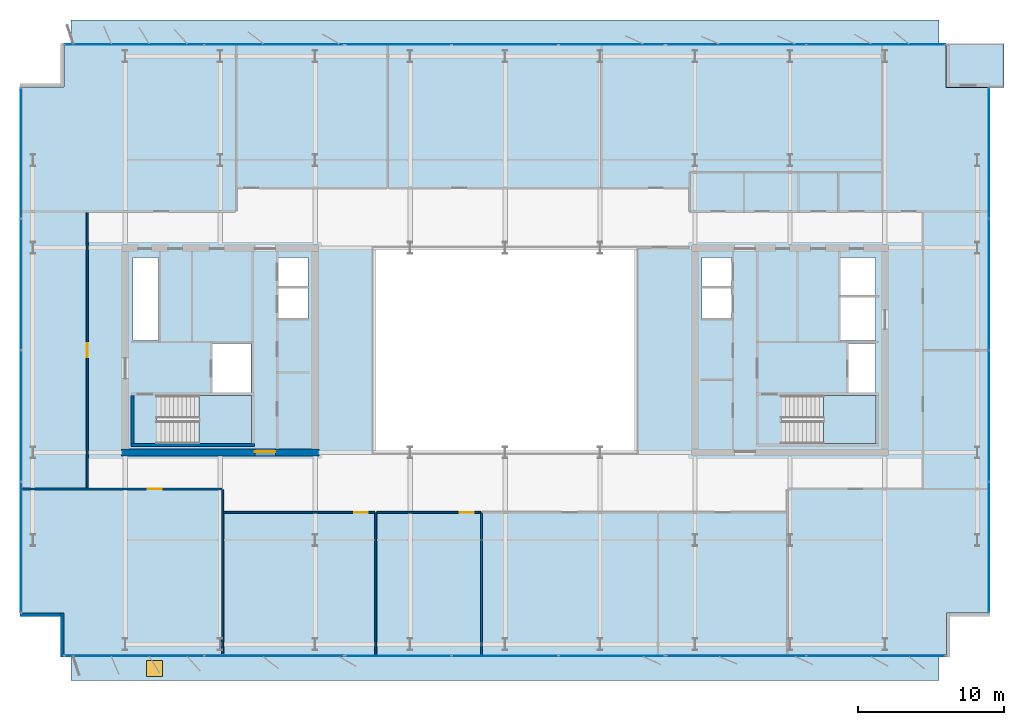
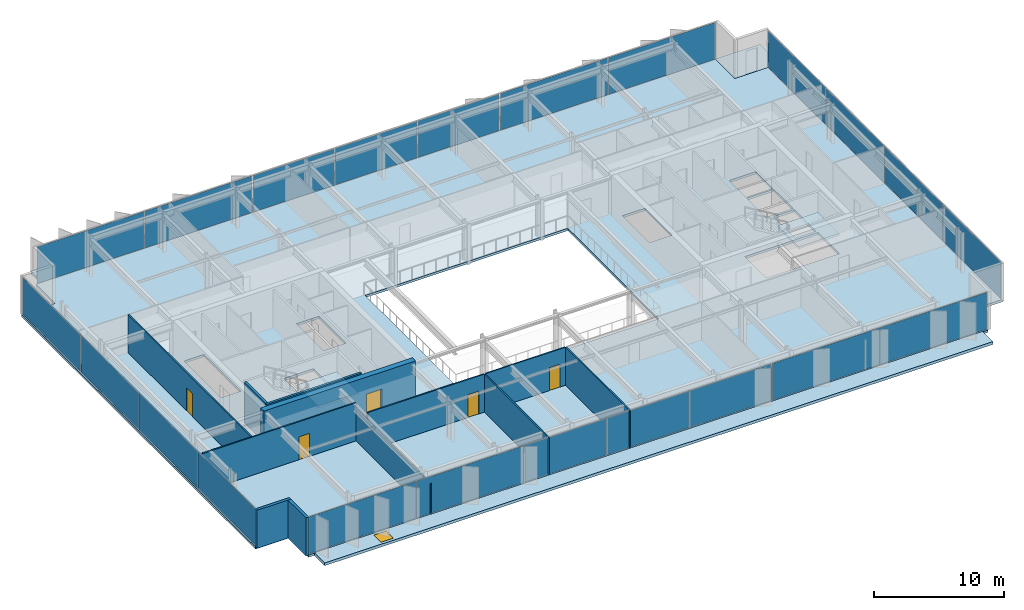
# One storey, part 16 of 23: 22 plates, 12 walls, 6 doors, 6 slabs, 6 openings, 10 elements without a shape of their own.
"""IFC4 building model written with IfcOpenShell, lengths in metres."""

from ifc_helpers import new_model, si_unit, direction, frame, frame_2d, origin, origin_2d, place, context, subcontext, project, spatial, polyline, rectangle, outline, extrude, material, layer, layer_set, type_object, element, fill, aggregate, save


model = new_model("IFC4")

# Units and contexts
model_context = context("Model", 3, precision=1e-05, world=origin(), true_north=direction((0.0, 1.0)))
body_context = subcontext(model_context, "Body", "Model", "MODEL_VIEW")
ifc_project = project(units=[si_unit("LENGTHUNIT", "METRE"), si_unit("AREAUNIT", "SQUARE_METRE"), si_unit("VOLUMEUNIT", "CUBIC_METRE"), si_unit("PLANEANGLEUNIT", "RADIAN"), si_unit("MASSUNIT", "GRAM", prefix="KILO")], contexts=[model_context])

# Site, building, storey
site_placement = place(None, origin())
site = spatial("IfcSite", under=ifc_project, at=site_placement, CompositionType="ELEMENT")
building_placement = place(site_placement, origin())
building = spatial("IfcBuilding", under=site, at=building_placement, Name="Putna Gate Headquarters", CompositionType="ELEMENT")
storey_placement = place(building_placement, frame((0.0, 0.0, 202.39990234375)))
storey = spatial("IfcBuildingStorey", under=building, at=storey_placement, Name="L50", CompositionType="ELEMENT", Elevation=202.39990234375)

# Stair, slab
ifc_material_1 = material(Name="Concrete C40/50", Category="concrete")
stair_type_1 = type_object("IfcStairType", Name="STAIR-ST1", PredefinedType="HALF_TURN_STAIR", material=ifc_material_1)
stair_1_placement = place(storey_placement, origin())
stair_1 = element("IfcStair", 1, at=stair_1_placement, inside=storey, type_object=stair_type_1, Name="L50 West Core Exit Stair ST1", PredefinedType="HALF_TURN_STAIR")
ifc_layer_1 = layer(ifc_material_1, 0.199951171875)
ifc_layer_set_1 = layer_set([ifc_layer_1], Name="Concrete C40/50")
slab_type_1 = type_object("IfcSlabType", Name="LANDING-ST1", PredefinedType="LANDING", material=ifc_layer_set_1)
slab_1_placement = place(storey_placement, frame((0.0, 0.0, 1.7001953125)))
slab_1 = element("IfcSlab", 2, at=slab_1_placement, type_object=slab_type_1, Name="ST1 landing 1", PredefinedType="LANDING", context=body_context, shape_type="SweptSolid", body=[
    extrude(outline(polyline([(18.050048828125, 19.60009765625), (21.64990234375, 19.60009765625), (21.64990234375, 22.89990234375), (18.050048828125, 22.89990234375), (18.050048828125, 19.60009765625)])), origin(), (0.0, 0.0, 1.0), 0.199951171875),
])
aggregate(stair_1, [slab_1])

stair_type_2 = type_object("IfcStairType", Name="STAIR-ST2", PredefinedType="HALF_TURN_STAIR", material=ifc_material_1)
stair_2_placement = place(storey_placement, origin())
stair_2 = element("IfcStair", 3, at=stair_2_placement, inside=storey, type_object=stair_type_2, Name="L50 East Core Exit Stair ST2", PredefinedType="HALF_TURN_STAIR")
ifc_layer_2 = layer(ifc_material_1, 0.199951171875)
ifc_layer_set_2 = layer_set([ifc_layer_2], Name="Concrete C40/50")
slab_type_2 = type_object("IfcSlabType", Name="LANDING-ST2", PredefinedType="LANDING", material=ifc_layer_set_2)
slab_2_placement = place(storey_placement, frame((0.0, 0.0, 1.7001953125)))
slab_2 = element("IfcSlab", 4, at=slab_2_placement, type_object=slab_type_2, Name="ST2 landing 1", PredefinedType="LANDING", context=body_context, shape_type="SweptSolid", body=[
    extrude(outline(polyline([(60.800048828125, 19.60009765625), (64.39990234375, 19.60009765625), (64.39990234375, 22.89990234375), (60.800048828125, 22.89990234375), (60.800048828125, 19.60009765625)])), origin(), (0.0, 0.0, 1.0), 0.199951171875),
])
aggregate(stair_2, [slab_2])

# Curtain wall, plates
ifc_material_2 = material(Name="Anodised bronze aluminium curtain wall", Category="aluminium")
ifc_layer_3 = layer(ifc_material_2, 0.139892578125)
ifc_layer_set_3 = layer_set([ifc_layer_3], Name="Anodised bronze aluminium curtain wall")
curtain_wall_type_1 = type_object("IfcCurtainWallType", Name="CW-SYS-Z4", PredefinedType="USERDEFINED", material=ifc_layer_set_3)
curtain_wall_1_placement = place(storey_placement, origin())
curtain_wall_1 = element("IfcCurtainWall", 5, at=curtain_wall_1_placement, inside=storey, type_object=curtain_wall_type_1, Name="L50 South West Curtain Wall", ObjectType="STICK CURTAIN WALL", PredefinedType="USERDEFINED")
ifc_material_3 = material(Name="Solar-control triple low-E glass", Category="glass")
ifc_layer_4 = layer(ifc_material_3, 0.02587890625)
ifc_layer_set_4 = layer_set([ifc_layer_4], Name="Solar-control triple low-E glass")
plate_type_1 = type_object("IfcPlateType", Name="PAN-CWP-4", PredefinedType="CURTAIN_PANEL", material=ifc_layer_set_4)
plate_1_placement = place(storey_placement, frame((13.614990234375, 5.080078125, 0.06005859375), z_axis=(0.0, 0.0, 1.0), x_axis=(1.0, 0.0, 0.0)))
plate_1 = element("IfcPlate", 6, at=plate_1_placement, type_object=plate_type_1, Name="CWS-4 panel 1.1", PredefinedType="CURTAIN_PANEL", context=body_context, shape_type="SweptSolid", body=[
    extrude(rectangle(XDim=9.510009765625, YDim=0.02587890625, at=origin_2d()), origin(), (0.0, 0.0, 1.0), 3.4599609375),
])
plate_2_placement = place(storey_placement, frame((23.18505859375, 5.080078125, 0.06005859375), z_axis=(0.0, 0.0, 1.0), x_axis=(1.0, 0.0, 0.0)))
plate_2 = element("IfcPlate", 7, at=plate_2_placement, type_object=plate_type_1, Name="CWS-4 panel 2.1", PredefinedType="CURTAIN_PANEL", context=body_context, shape_type="SweptSolid", body=[
    extrude(rectangle(XDim=9.510009765625, YDim=0.02587890625, at=origin_2d()), origin(), (0.0, 0.0, 1.0), 3.4599609375),
])
aggregate(curtain_wall_1, [plate_1, plate_2])

curtain_wall_2_placement = place(storey_placement, origin())
curtain_wall_2 = element("IfcCurtainWall", 8, at=curtain_wall_2_placement, inside=storey, type_object=curtain_wall_type_1, Name="L50 South East Curtain Wall", ObjectType="STICK CURTAIN WALL", PredefinedType="USERDEFINED")
plate_3_placement = place(storey_placement, frame((54.81494140625, 5.080078125, 0.06005859375), z_axis=(0.0, 0.0, 1.0), x_axis=(1.0, 0.0, 0.0)))
plate_3 = element("IfcPlate", 9, at=plate_3_placement, type_object=plate_type_1, Name="CWS-4 panel 1.1", PredefinedType="CURTAIN_PANEL", context=body_context, shape_type="SweptSolid", body=[
    extrude(rectangle(XDim=9.510009765625, YDim=0.02587890625, at=origin_2d()), origin(), (0.0, 0.0, 1.0), 3.4599609375),
])
plate_4_placement = place(storey_placement, frame((64.385009765625, 5.080078125, 0.06005859375), z_axis=(0.0, 0.0, 1.0), x_axis=(1.0, 0.0, 0.0)))
plate_4 = element("IfcPlate", 10, at=plate_4_placement, type_object=plate_type_1, Name="CWS-4 panel 2.1", PredefinedType="CURTAIN_PANEL", context=body_context, shape_type="SweptSolid", body=[
    extrude(rectangle(XDim=9.510009765625, YDim=0.02587890625, at=origin_2d()), origin(), (0.0, 0.0, 1.0), 3.4599609375),
])
aggregate(curtain_wall_2, [plate_3, plate_4])

curtain_wall_3_placement = place(storey_placement, origin())
curtain_wall_3 = element("IfcCurtainWall", 11, at=curtain_wall_3_placement, inside=storey, type_object=curtain_wall_type_1, Name="L50 North West Curtain Wall", ObjectType="STICK CURTAIN WALL", PredefinedType="USERDEFINED")
plate_5_placement = place(storey_placement, frame((13.614990234375, 46.919921875, 0.06005859375), z_axis=(0.0, 0.0, 1.0), x_axis=(1.0, 0.0, 0.0)))
plate_5 = element("IfcPlate", 12, at=plate_5_placement, type_object=plate_type_1, Name="CWS-4 panel 1.1", PredefinedType="CURTAIN_PANEL", context=body_context, shape_type="SweptSolid", body=[
    extrude(rectangle(XDim=9.510009765625, YDim=0.02587890625, at=origin_2d()), origin(), (0.0, 0.0, 1.0), 3.4599609375),
])
plate_6_placement = place(storey_placement, frame((23.18505859375, 46.919921875, 0.06005859375), z_axis=(0.0, 0.0, 1.0), x_axis=(1.0, 0.0, 0.0)))
plate_6 = element("IfcPlate", 13, at=plate_6_placement, type_object=plate_type_1, Name="CWS-4 panel 2.1", PredefinedType="CURTAIN_PANEL", context=body_context, shape_type="SweptSolid", body=[
    extrude(rectangle(XDim=9.510009765625, YDim=0.02587890625, at=origin_2d()), origin(), (0.0, 0.0, 1.0), 3.4599609375),
])
aggregate(curtain_wall_3, [plate_5, plate_6])

curtain_wall_4_placement = place(storey_placement, origin())
curtain_wall_4 = element("IfcCurtainWall", 14, at=curtain_wall_4_placement, inside=storey, type_object=curtain_wall_type_1, Name="L50 North East Curtain Wall", ObjectType="STICK CURTAIN WALL", PredefinedType="USERDEFINED")
plate_7_placement = place(storey_placement, frame((54.81494140625, 46.919921875, 0.06005859375), z_axis=(0.0, 0.0, 1.0), x_axis=(1.0, 0.0, 0.0)))
plate_7 = element("IfcPlate", 15, at=plate_7_placement, type_object=plate_type_1, Name="CWS-4 panel 1.1", PredefinedType="CURTAIN_PANEL", context=body_context, shape_type="SweptSolid", body=[
    extrude(rectangle(XDim=9.510009765625, YDim=0.02587890625, at=origin_2d()), origin(), (0.0, 0.0, 1.0), 3.4599609375),
])
plate_8_placement = place(storey_placement, frame((64.385009765625, 46.919921875, 0.06005859375), z_axis=(0.0, 0.0, 1.0), x_axis=(1.0, 0.0, 0.0)))
plate_8 = element("IfcPlate", 16, at=plate_8_placement, type_object=plate_type_1, Name="CWS-4 panel 2.1", PredefinedType="CURTAIN_PANEL", context=body_context, shape_type="SweptSolid", body=[
    extrude(rectangle(XDim=9.510009765625, YDim=0.02587890625, at=origin_2d()), origin(), (0.0, 0.0, 1.0), 3.4599609375),
])
aggregate(curtain_wall_4, [plate_7, plate_8])

curtain_wall_5_placement = place(storey_placement, origin())
curtain_wall_5 = element("IfcCurtainWall", 17, at=curtain_wall_5_placement, inside=storey, type_object=curtain_wall_type_1, Name="L50 West Curtain Wall", ObjectType="STICK CURTAIN WALL", PredefinedType="USERDEFINED")
plate_9_placement = place(storey_placement, frame((5.8798828125, 12.514892578125, 0.06005859375), z_axis=(0.0, 0.0, 1.0), x_axis=(0.0, 1.0, 0.0)))
plate_9 = element("IfcPlate", 18, at=plate_9_placement, type_object=plate_type_1, Name="CWS-4 panel 1.1", PredefinedType="CURTAIN_PANEL", context=body_context, shape_type="SweptSolid", body=[
    extrude(rectangle(XDim=8.909912109375, YDim=0.02587890625, at=origin_2d()), origin(), (0.0, 0.0, 1.0), 3.4599609375),
])
plate_10_placement = place(storey_placement, frame((5.8798828125, 21.5, 0.06005859375), z_axis=(0.0, 0.0, 1.0), x_axis=(0.0, 1.0, 0.0)))
plate_10 = element("IfcPlate", 19, at=plate_10_placement, type_object=plate_type_1, Name="CWS-4 panel 2.1", PredefinedType="CURTAIN_PANEL", context=body_context, shape_type="SweptSolid", body=[
    extrude(rectangle(XDim=8.93994140625, YDim=0.02587890625, at=origin_2d()), origin(), (0.0, 0.0, 1.0), 3.4599609375),
])
plate_11_placement = place(storey_placement, frame((5.8798828125, 30.5, 0.06005859375), z_axis=(0.0, 0.0, 1.0), x_axis=(0.0, 1.0, 0.0)))
plate_11 = element("IfcPlate", 20, at=plate_11_placement, type_object=plate_type_1, Name="CWS-4 panel 3.1", PredefinedType="CURTAIN_PANEL", context=body_context, shape_type="SweptSolid", body=[
    extrude(rectangle(XDim=8.93994140625, YDim=0.02587890625, at=origin_2d()), origin(), (0.0, 0.0, 1.0), 3.4599609375),
])
plate_12_placement = place(storey_placement, frame((5.8798828125, 39.485107421875, 0.06005859375), z_axis=(0.0, 0.0, 1.0), x_axis=(0.0, 1.0, 0.0)))
plate_12 = element("IfcPlate", 21, at=plate_12_placement, type_object=plate_type_1, Name="CWS-4 panel 4.1", PredefinedType="CURTAIN_PANEL", context=body_context, shape_type="SweptSolid", body=[
    extrude(rectangle(XDim=8.909912109375, YDim=0.02587890625, at=origin_2d()), origin(), (0.0, 0.0, 1.0), 3.4599609375),
])
aggregate(curtain_wall_5, [plate_9, plate_10, plate_11, plate_12])

curtain_wall_6_placement = place(storey_placement, origin())
curtain_wall_6 = element("IfcCurtainWall", 22, at=curtain_wall_6_placement, inside=storey, type_object=curtain_wall_type_1, Name="L50 East Curtain Wall", ObjectType="STICK CURTAIN WALL", PredefinedType="USERDEFINED")
plate_13_placement = place(storey_placement, frame((72.1201171875, 12.514892578125, 0.06005859375), z_axis=(0.0, 0.0, 1.0), x_axis=(0.0, 1.0, 0.0)))
plate_13 = element("IfcPlate", 23, at=plate_13_placement, type_object=plate_type_1, Name="CWS-4 panel 1.1", PredefinedType="CURTAIN_PANEL", context=body_context, shape_type="SweptSolid", body=[
    extrude(rectangle(XDim=8.909912109375, YDim=0.02587890625, at=origin_2d()), origin(), (0.0, 0.0, 1.0), 3.4599609375),
])
plate_14_placement = place(storey_placement, frame((72.1201171875, 21.5, 0.06005859375), z_axis=(0.0, 0.0, 1.0), x_axis=(0.0, 1.0, 0.0)))
plate_14 = element("IfcPlate", 24, at=plate_14_placement, type_object=plate_type_1, Name="CWS-4 panel 2.1", PredefinedType="CURTAIN_PANEL", context=body_context, shape_type="SweptSolid", body=[
    extrude(rectangle(XDim=8.93994140625, YDim=0.02587890625, at=origin_2d()), origin(), (0.0, 0.0, 1.0), 3.4599609375),
])
plate_15_placement = place(storey_placement, frame((72.1201171875, 30.5, 0.06005859375), z_axis=(0.0, 0.0, 1.0), x_axis=(0.0, 1.0, 0.0)))
plate_15 = element("IfcPlate", 25, at=plate_15_placement, type_object=plate_type_1, Name="CWS-4 panel 3.1", PredefinedType="CURTAIN_PANEL", context=body_context, shape_type="SweptSolid", body=[
    extrude(rectangle(XDim=8.93994140625, YDim=0.02587890625, at=origin_2d()), origin(), (0.0, 0.0, 1.0), 3.4599609375),
])
plate_16_placement = place(storey_placement, frame((72.1201171875, 39.485107421875, 0.06005859375), z_axis=(0.0, 0.0, 1.0), x_axis=(0.0, 1.0, 0.0)))
plate_16 = element("IfcPlate", 26, at=plate_16_placement, type_object=plate_type_1, Name="CWS-4 panel 4.1", PredefinedType="CURTAIN_PANEL", context=body_context, shape_type="SweptSolid", body=[
    extrude(rectangle(XDim=8.909912109375, YDim=0.02587890625, at=origin_2d()), origin(), (0.0, 0.0, 1.0), 3.4599609375),
])
aggregate(curtain_wall_6, [plate_13, plate_14, plate_15, plate_16])

ifc_layer_5 = layer(ifc_material_2, 0.179931640625)
ifc_layer_set_5 = layer_set([ifc_layer_5], Name="Anodised bronze aluminium curtain wall")
curtain_wall_type_2 = type_object("IfcCurtainWallType", Name="CW-SYS-ATR", PredefinedType="USERDEFINED", material=ifc_layer_set_5)
curtain_wall_7_placement = place(storey_placement, origin())
curtain_wall_7 = element("IfcCurtainWall", 27, at=curtain_wall_7_placement, inside=storey, type_object=curtain_wall_type_2, Name="L50 South Atrium Clear Glazing", ObjectType="ATRIUM GLAZING", PredefinedType="USERDEFINED")
ifc_material_4 = material(Name="Clear low-iron triple glazing", Category="glass")
ifc_layer_6 = layer(ifc_material_4, 0.0400390625)
ifc_layer_set_6 = layer_set([ifc_layer_6], Name="Clear low-iron triple glazing")
plate_type_2 = type_object("IfcPlateType", Name="PAN-CWP-AT", PredefinedType="CURTAIN_PANEL", material=ifc_layer_set_6)
plate_17_placement = place(storey_placement, frame((31.68408203125, 5.080078125, 0.070068359375), z_axis=(0.0, 0.0, 1.0), x_axis=(1.0, 0.0, 0.0)))
plate_17 = element("IfcPlate", 28, at=plate_17_placement, type_object=plate_type_2, Name="CWS-AT panel 1.1", PredefinedType="CURTAIN_PANEL", context=body_context, shape_type="SweptSolid", body=[
    extrude(rectangle(XDim=7.228271484375, YDim=0.0400390625, at=origin_2d()), origin(), (0.0, 0.0, 1.0), 3.43994140625),
])
plate_18_placement = place(storey_placement, frame((39.0, 5.080078125, 0.070068359375), z_axis=(0.0, 0.0, 1.0), x_axis=(1.0, 0.0, 0.0)))
plate_18 = element("IfcPlate", 29, at=plate_18_placement, type_object=plate_type_2, Name="CWS-AT panel 2.1", PredefinedType="CURTAIN_PANEL", context=body_context, shape_type="SweptSolid", body=[
    extrude(rectangle(XDim=7.263427734375, YDim=0.0400390625, at=origin_2d()), origin(), (0.0, 0.0, 1.0), 3.43994140625),
])
plate_19_placement = place(storey_placement, frame((46.31591796875, 5.080078125, 0.070068359375), z_axis=(0.0, 0.0, 1.0), x_axis=(1.0, 0.0, 0.0)))
plate_19 = element("IfcPlate", 30, at=plate_19_placement, type_object=plate_type_2, Name="CWS-AT panel 3.1", PredefinedType="CURTAIN_PANEL", context=body_context, shape_type="SweptSolid", body=[
    extrude(rectangle(XDim=7.228271484375, YDim=0.0400390625, at=origin_2d()), origin(), (0.0, 0.0, 1.0), 3.43994140625),
])
aggregate(curtain_wall_7, [plate_17, plate_18, plate_19])

curtain_wall_8_placement = place(storey_placement, origin())
curtain_wall_8 = element("IfcCurtainWall", 31, at=curtain_wall_8_placement, inside=storey, type_object=curtain_wall_type_2, Name="L50 North Atrium Clear Glazing", ObjectType="ATRIUM GLAZING", PredefinedType="USERDEFINED")
plate_20_placement = place(storey_placement, frame((31.68408203125, 46.919921875, 0.070068359375), z_axis=(0.0, 0.0, 1.0), x_axis=(1.0, 0.0, 0.0)))
plate_20 = element("IfcPlate", 32, at=plate_20_placement, type_object=plate_type_2, Name="CWS-AT panel 1.1", PredefinedType="CURTAIN_PANEL", context=body_context, shape_type="SweptSolid", body=[
    extrude(rectangle(XDim=7.228271484375, YDim=0.0400390625, at=origin_2d()), origin(), (0.0, 0.0, 1.0), 3.43994140625),
])
plate_21_placement = place(storey_placement, frame((39.0, 46.919921875, 0.070068359375), z_axis=(0.0, 0.0, 1.0), x_axis=(1.0, 0.0, 0.0)))
plate_21 = element("IfcPlate", 33, at=plate_21_placement, type_object=plate_type_2, Name="CWS-AT panel 2.1", PredefinedType="CURTAIN_PANEL", context=body_context, shape_type="SweptSolid", body=[
    extrude(rectangle(XDim=7.263427734375, YDim=0.0400390625, at=origin_2d()), origin(), (0.0, 0.0, 1.0), 3.43994140625),
])
plate_22_placement = place(storey_placement, frame((46.31591796875, 46.919921875, 0.070068359375), z_axis=(0.0, 0.0, 1.0), x_axis=(1.0, 0.0, 0.0)))
plate_22 = element("IfcPlate", 34, at=plate_22_placement, type_object=plate_type_2, Name="CWS-AT panel 3.1", PredefinedType="CURTAIN_PANEL", context=body_context, shape_type="SweptSolid", body=[
    extrude(rectangle(XDim=7.228271484375, YDim=0.0400390625, at=origin_2d()), origin(), (0.0, 0.0, 1.0), 3.43994140625),
])
aggregate(curtain_wall_8, [plate_20, plate_21, plate_22])

# Slab, opening, door
ifc_layer_7 = layer(ifc_material_1, 0.260009765625)
ifc_layer_set_7 = layer_set([ifc_layer_7], Name="Concrete C40/50")
slab_type_3 = type_object("IfcSlabType", Name="SLAB-PODIUM-ROOF-260", PredefinedType="ROOF", material=ifc_layer_set_7)
slab_3_placement = place(storey_placement, frame((0.0, 0.0, -0.2099609375)))
slab_3 = element("IfcSlab", 35, at=slab_3_placement, inside=storey, type_object=slab_type_3, Name="L50 Maintenance Setback Roof Slab S", PredefinedType="ROOF", context=body_context, shape_type="SweptSolid", body=[
    extrude(outline(polyline([(9.300048828125, 3.39990234375), (68.699951171875, 3.39990234375), (68.699951171875, 5.0), (9.300048828125, 5.0), (9.300048828125, 3.39990234375)])), origin(), (0.0, 0.0, 1.0), 0.260009765625),
])
opening_1_placement = place(slab_3_placement, frame((15.0, 4.199951171875, 0.0)))
opening_1 = element("IfcOpeningElement", 36, at=opening_1_placement, cuts=slab_3, Name="Opening RH-1", PredefinedType="OPENING", context=body_context, shape_type="SweptSolid", body=[
    extrude(rectangle(XDim=1.10009765625, YDim=1.10009765625, at=origin_2d()), origin(), (0.0, 0.0, 1.0), 0.260009765625),
])
ifc_material_5 = material(Name="Insulated aluminium roof access hatch", Category="aluminium")
door_type_1 = type_object("IfcDoorType", Name="DOOR-ROOF-HATCH-1100", OperationType="SINGLE_SWING_LEFT", PredefinedType="TRAPDOOR", material=ifc_material_5)
door_1_placement = place(opening_1_placement, frame((0.0, 0.0, 0.2099609375)))
door_1 = element("IfcDoor", 37, at=door_1_placement, inside=storey, type_object=door_type_1, Name="L50 Roof Maintenance Hatch 4", OperationType="SINGLE_SWING_LEFT", OverallHeight=1.10009765625, OverallWidth=1.10009765625, PredefinedType="TRAPDOOR", context=body_context, shape_type="SweptSolid", body=[
    extrude(rectangle(XDim=1.10009765625, YDim=1.10009765625, at=origin_2d()), origin(), (0.0, 0.0, 1.0), 0.050048828125),
])
fill(opening_1, door_1)

# Slabs
slab_4_placement = place(storey_placement, frame((0.0, 0.0, -0.2099609375)))
element("IfcSlab", 38, at=slab_4_placement, inside=storey, type_object=slab_type_3, Name="L50 Maintenance Setback Roof Slab N", PredefinedType="ROOF", context=body_context, shape_type="SweptSolid", body=[
    extrude(outline(polyline([(9.300048828125, 47.0), (68.699951171875, 47.0), (68.699951171875, 48.60009765625), (9.300048828125, 48.60009765625), (9.300048828125, 47.0)])), origin(), (0.0, 0.0, 1.0), 0.260009765625),
])
ifc_layer_8 = layer(ifc_material_1, 0.179931640625)
ifc_layer_set_8 = layer_set([ifc_layer_8], Name="Concrete C40/50")
slab_type_4 = type_object("IfcSlabType", Name="SLAB-TERRACE-180", PredefinedType="FLOOR", material=ifc_layer_set_8)
slab_5_placement = place(storey_placement, frame((0.0, 0.0, -0.179931640625)))
element("IfcSlab", 39, at=slab_5_placement, inside=storey, type_object=slab_type_4, Name="L50 Spiral Sky-Garden Terrace Slab (NE)", PredefinedType="FLOOR", context=body_context, shape_type="SweptSolid", body=[
    extrude(outline(polyline([(69.19189453125, 43.991943359375), (73.14990234375, 43.991943359375), (73.14990234375, 47.0), (69.19189453125, 47.0), (69.19189453125, 43.991943359375)])), origin(), (0.0, 0.0, 1.0), 0.179931640625),
])
ifc_layer_9 = layer(ifc_material_1, 0.219970703125)
ifc_layer_set_9 = layer_set([ifc_layer_9], Name="Concrete C40/50")
slab_type_5 = type_object("IfcSlabType", Name="SLAB-Z4-220", PredefinedType="FLOOR", material=ifc_layer_set_9)
slab_6_placement = place(storey_placement, frame((0.0, 0.0, -0.219970703125)))
element("IfcSlab", 40, at=slab_6_placement, inside=storey, type_object=slab_type_5, Name="L50 Composite Floor Slab", PredefinedType="FLOOR", context=body_context, shape_type="SweptSolid", body=[
    extrude(outline(polyline([(8.800048828125, 5.0), (69.199951171875, 5.0), (69.199951171875, 8.0), (72.199951171875, 8.0), (72.199951171875, 44.0), (69.199951171875, 44.0), (69.199951171875, 47.0), (8.800048828125, 47.0), (8.800048828125, 44.0), (5.800048828125, 44.0), (5.800048828125, 8.0), (8.800048828125, 8.0), (8.800048828125, 5.0)]), holes=[polyline([(15.1650390625, 19.60009765625), (21.64990234375, 19.60009765625), (21.64990234375, 22.89990234375), (15.1650390625, 22.89990234375), (15.1650390625, 19.60009765625)]), polyline([(57.9150390625, 19.60009765625), (64.39990234375, 19.60009765625), (64.39990234375, 22.89990234375), (57.9150390625, 22.89990234375), (57.9150390625, 19.60009765625)]), polyline([(13.52001953125, 26.659912109375), (15.280029296875, 26.659912109375), (15.280029296875, 32.35009765625), (13.52001953125, 32.35009765625), (13.52001953125, 26.659912109375)]), polyline([(61.969970703125, 29.780029296875), (64.35009765625, 29.780029296875), (64.35009765625, 32.35009765625), (61.969970703125, 32.35009765625), (61.969970703125, 29.780029296875)]), polyline([(18.97998046875, 23.1201171875), (21.6201171875, 23.1201171875), (21.6201171875, 26.4599609375), (18.97998046875, 26.4599609375), (18.97998046875, 23.1201171875)]), polyline([(62.52001953125, 23.1201171875), (64.35009765625, 23.1201171875), (64.35009765625, 26.4599609375), (62.52001953125, 26.4599609375), (62.52001953125, 23.1201171875)]), polyline([(61.969970703125, 26.659912109375), (64.35009765625, 26.659912109375), (64.35009765625, 29.6201171875), (61.969970703125, 29.6201171875), (61.969970703125, 26.659912109375)]), polyline([(23.5, 28.199951171875), (25.5, 28.199951171875), (25.5, 32.35009765625), (23.5, 32.35009765625), (23.5, 28.199951171875)]), polyline([(52.47998046875, 28.199951171875), (54.5, 28.199951171875), (54.5, 32.35009765625), (52.47998046875, 32.35009765625), (52.47998046875, 28.199951171875)]), polyline([(30.0, 19.0), (48.0, 19.0), (48.0, 33.0), (30.0, 33.0), (30.0, 19.0)])]), origin(), (0.0, 0.0, 1.0), 0.219970703125),
])

# Wall, opening, door
ifc_material_6 = material(Name="Concrete C50/60", Category="concrete")
ifc_layer_10 = layer(ifc_material_6, 0.5)
ifc_layer_set_10 = layer_set([ifc_layer_10], Name="Concrete C50/60")
wall_type_1 = type_object("IfcWallType", Name="WALL-CORE-500", PredefinedType="SHEAR", material=ifc_layer_set_10)
wall_1_placement = place(storey_placement, frame((12.75, 19.0, 0.0), z_axis=(0.0, 0.0, 1.0), x_axis=(1.0, 0.0, 0.0)))
wall_1 = element("IfcWall", 41, at=wall_1_placement, inside=storey, type_object=wall_type_1, Name="L50 WC Split Core Shear Wall S", PredefinedType="SHEAR", context=body_context, shape_type="SweptSolid", body=[
    extrude(rectangle(XDim=13.5, YDim=0.5, at=frame_2d((6.75, 0.0))), origin(), (0.0, 0.0, 1.0), 3.800048828125),
])
opening_2_placement = place(wall_1_placement, frame((9.1298828125, 0.0, 0.0)))
opening_2 = element("IfcOpeningElement", 42, at=opening_2_placement, cuts=wall_1, Name="Opening FDD-140", PredefinedType="OPENING", context=body_context, shape_type="SweptSolid", body=[
    extrude(rectangle(XDim=1.39990234375, YDim=2.199951171875, at=frame_2d((0.699951171875, 1.10009765625))), frame((0.0, 0.260009765625, 0.0), z_axis=(0.0, -1.0, 0.0), x_axis=(1.0, 0.0, 0.0)), (0.0, 0.0, 1.0), 0.52001953125),
])
ifc_material_7 = material(Name="Double steel fire door", Category="steel")
door_type_2 = type_object("IfcDoorType", Name="DOOR-FIRE-DBL-1400", OperationType="DOUBLE_DOOR_SINGLE_SWING", PredefinedType="DOOR", material=ifc_material_7)
door_2_placement = place(opening_2_placement, origin())
door_2 = element("IfcDoor", 43, at=door_2_placement, inside=storey, type_object=door_type_2, Name="L50 West Lift Lobby South Door", OperationType="DOUBLE_DOOR_SINGLE_SWING", OverallHeight=2.199951171875, OverallWidth=1.39990234375, PredefinedType="DOOR", context=body_context, shape_type="SweptSolid", body=[
    extrude(rectangle(XDim=1.39990234375, YDim=2.199951171875, at=frame_2d((0.699951171875, 1.10009765625))), frame((0.0, 0.0751953125, 0.0), z_axis=(0.0, -1.0, 0.0), x_axis=(1.0, 0.0, 0.0)), (0.0, 0.0, 1.0), 0.050048828125),
])
fill(opening_2, door_2)

# Walls
ifc_material_8 = material(Name="Precast concrete C40/50", Category="concrete")
ifc_layer_11 = layer(ifc_material_8, 0.239990234375)
ifc_layer_set_11 = layer_set([ifc_layer_11], Name="Precast concrete C40/50")
wall_type_2 = type_object("IfcWallType", Name="WALL-EXT-TERR-240", PredefinedType="STANDARD", material=ifc_layer_set_11)
for number, where, z_axis, x_axis, name in (
    (44, (8.679931640625, 5.0, 0.0), (0.0, 0.0, 1.0), (0.0, 1.0, 0.0), "L50 Corner Notch Return Wall SW-V"),
    (45, (8.800048828125, 7.8798828125, 0.0), (0.0, 0.0, 1.0), (-1.0, 0.0, 0.0), "L50 Corner Notch Return Wall SW-H"),
):
    element("IfcWall", number, at=place(storey_placement, frame(where, z_axis=z_axis, x_axis=x_axis)), inside=storey, type_object=wall_type_2, Name=name, PredefinedType="STANDARD", context=body_context, shape_type="SweptSolid", body=[
        extrude(rectangle(XDim=3.0, YDim=0.239990234375, at=frame_2d((1.5, 0.0))), origin(), (0.0, 0.0, 1.0), 3.580078125),
    ])
ifc_material_9 = material(Name="Acoustic gypsum board on metal stud")
ifc_layer_12 = layer(ifc_material_9, 0.1201171875)
ifc_layer_set_12 = layer_set([ifc_layer_12], Name="Acoustic gypsum board on metal stud")
wall_type_3 = type_object("IfcWallType", Name="WALL-PART-120", PredefinedType="PARTITIONING", material=ifc_layer_set_12)
wall_2_placement = place(storey_placement, frame((19.683349609375, 5.02001953125, 0.0), z_axis=(0.0, 0.0, 1.0), x_axis=(0.0, 1.0, 0.0)))
element("IfcWall", 46, at=wall_2_placement, inside=storey, type_object=wall_type_3, Name="L50 Interior Wall PART-L50-SB-DIV-01", PredefinedType="PARTITIONING", context=body_context, shape_type="SweptSolid", body=[
    extrude(rectangle(XDim=11.419921875, YDim=0.1201171875, at=frame_2d((5.7099609375, 0.0))), origin(), (0.0, 0.0, 1.0), 2.880126953125),
])
for number, where, z_axis, x_axis, name in (
    (47, (30.150634765625, 5.02001953125, 0.0), (0.0, 0.0, 1.0), (0.0, 1.0, 0.0), "L50 Interior Wall PART-L50-SB-DIV-02"),
    (48, (37.382080078125, 5.02001953125, 0.0), (0.0, 0.0, 1.0), (0.0, 1.0, 0.0), "L50 Interior Wall PART-L50-SB-DIV-03"),
):
    element("IfcWall", number, at=place(storey_placement, frame(where, z_axis=z_axis, x_axis=x_axis)), inside=storey, type_object=wall_type_3, Name=name, PredefinedType="PARTITIONING", context=body_context, shape_type="SweptSolid", body=[
        extrude(rectangle(XDim=9.820068359375, YDim=0.1201171875, at=frame_2d((4.91015625, 0.0))), origin(), (0.0, 0.0, 1.0), 3.580078125),
    ])

# Wall, opening, door
ifc_material_10 = material(Name="Fire-rated gypsum board on metal stud")
ifc_layer_13 = layer(ifc_material_10, 0.1201171875)
ifc_layer_set_13 = layer_set([ifc_layer_13], Name="Fire-rated gypsum board on metal stud")
wall_type_4 = type_object("IfcWallType", Name="WALL-PART-120-RATED", PredefinedType="PARTITIONING", material=ifc_layer_set_13)
wall_3_placement = place(storey_placement, frame((5.97998046875, 16.5, 0.0), z_axis=(0.0, 0.0, 1.0), x_axis=(1.0, 0.0, 0.0)))
wall_3 = element("IfcWall", 49, at=wall_3_placement, inside=storey, type_object=wall_type_4, Name="L50 Interior Wall PART-L50-SB-CW-01", PredefinedType="PARTITIONING", context=body_context, shape_type="SweptSolid", body=[
    extrude(rectangle(XDim=13.643310546875, YDim=0.1201171875, at=frame_2d((6.82177734375, 0.0))), origin(), (0.0, 0.0, 1.0), 3.580078125),
])
opening_3_placement = place(wall_3_placement, frame((8.556640625, 0.0, 0.0)))
opening_3 = element("IfcOpeningElement", 50, at=opening_3_placement, cuts=wall_3, Name="Opening FD-95", PredefinedType="OPENING", context=body_context, shape_type="SweptSolid", body=[
    extrude(rectangle(XDim=0.949951171875, YDim=2.14990234375, at=frame_2d((0.47509765625, 1.074951171875))), frame((0.0, 0.070068359375, 0.0), z_axis=(0.0, -1.0, 0.0), x_axis=(1.0, 0.0, 0.0)), (0.0, 0.0, 1.0), 0.14013671875),
])
ifc_material_11 = material(Name="Acoustic timber fire door", Category="wood")
door_type_3 = type_object("IfcDoorType", Name="DOOR-FIRE-950", OperationType="NOTDEFINED", PredefinedType="DOOR", material=ifc_material_11)
door_3_placement = place(opening_3_placement, origin())
door_3 = element("IfcDoor", 51, at=door_3_placement, inside=storey, type_object=door_type_3, Name="L50 Collaborative Breakout Lounge 1 Door", OperationType="SINGLE_SWING_LEFT", OverallHeight=2.14990234375, OverallWidth=0.949951171875, PredefinedType="DOOR", context=body_context, shape_type="SweptSolid", body=[
    extrude(rectangle(XDim=0.949951171875, YDim=2.14990234375, at=frame_2d((0.47509765625, 1.074951171875))), frame((0.0, 0.02490234375, 0.0), z_axis=(0.0, -1.0, 0.0), x_axis=(1.0, 0.0, 0.0)), (0.0, 0.0, 1.0), 0.050048828125),
])
fill(opening_3, door_3)

wall_4_placement = place(storey_placement, frame((19.743408203125, 14.89990234375, 0.0), z_axis=(0.0, 0.0, 1.0), x_axis=(1.0, 0.0, 0.0)))
wall_4 = element("IfcWall", 52, at=wall_4_placement, inside=storey, type_object=wall_type_4, Name="L50 Interior Wall PART-L50-SB-CW-02", PredefinedType="PARTITIONING", context=body_context, shape_type="SweptSolid", body=[
    extrude(rectangle(XDim=10.34716796875, YDim=0.1201171875, at=frame_2d((5.173583984375, 0.0))), origin(), (0.0, 0.0, 1.0), 3.580078125),
])
opening_4_placement = place(wall_4_placement, frame((8.917236328125, 0.0, 0.0)))
opening_4 = element("IfcOpeningElement", 53, at=opening_4_placement, cuts=wall_4, Name="Opening FD-95", PredefinedType="OPENING", context=body_context, shape_type="SweptSolid", body=[
    extrude(rectangle(XDim=0.949951171875, YDim=2.14990234375, at=frame_2d((0.47509765625, 1.074951171875))), frame((0.0, 0.070068359375, 0.0), z_axis=(0.0, -1.0, 0.0), x_axis=(1.0, 0.0, 0.0)), (0.0, 0.0, 1.0), 0.14013671875),
])
door_4_placement = place(opening_4_placement, origin())
door_4 = element("IfcDoor", 54, at=door_4_placement, inside=storey, type_object=door_type_3, Name="L50 Cellular Office 2 Door", OperationType="SINGLE_SWING_RIGHT", OverallHeight=2.14990234375, OverallWidth=0.949951171875, PredefinedType="DOOR", context=body_context, shape_type="SweptSolid", body=[
    extrude(rectangle(XDim=0.949951171875, YDim=2.14990234375, at=frame_2d((0.47509765625, 1.074951171875))), frame((0.0, 0.02490234375, 0.0), z_axis=(0.0, -1.0, 0.0), x_axis=(1.0, 0.0, 0.0)), (0.0, 0.0, 1.0), 0.050048828125),
])
fill(opening_4, door_4)

wall_5_placement = place(storey_placement, frame((30.210693359375, 14.89990234375, 0.0), z_axis=(0.0, 0.0, 1.0), x_axis=(1.0, 0.0, 0.0)))
wall_5 = element("IfcWall", 55, at=wall_5_placement, inside=storey, type_object=wall_type_4, Name="L50 Interior Wall PART-L50-SB-CW-03", PredefinedType="PARTITIONING", context=body_context, shape_type="SweptSolid", body=[
    extrude(rectangle(XDim=7.111328125, YDim=0.1201171875, at=frame_2d((3.5556640625, 0.0))), origin(), (0.0, 0.0, 1.0), 3.580078125),
])
opening_5_placement = place(wall_5_placement, frame((5.681396484375, 0.0, 0.0)))
opening_5 = element("IfcOpeningElement", 56, at=opening_5_placement, cuts=wall_5, Name="Opening FD-95", PredefinedType="OPENING", context=body_context, shape_type="SweptSolid", body=[
    extrude(rectangle(XDim=0.949951171875, YDim=2.14990234375, at=frame_2d((0.47509765625, 1.074951171875))), frame((0.0, 0.070068359375, 0.0), z_axis=(0.0, -1.0, 0.0), x_axis=(1.0, 0.0, 0.0)), (0.0, 0.0, 1.0), 0.14013671875),
])
door_5_placement = place(opening_5_placement, origin())
door_5 = element("IfcDoor", 57, at=door_5_placement, inside=storey, type_object=door_type_3, Name="L50 Cellular Office 3 Door", OperationType="SINGLE_SWING_LEFT", OverallHeight=2.14990234375, OverallWidth=0.949951171875, PredefinedType="DOOR", context=body_context, shape_type="SweptSolid", body=[
    extrude(rectangle(XDim=0.949951171875, YDim=2.14990234375, at=frame_2d((0.47509765625, 1.074951171875))), frame((0.0, 0.02490234375, 0.0), z_axis=(0.0, -1.0, 0.0), x_axis=(1.0, 0.0, 0.0)), (0.0, 0.0, 1.0), 0.050048828125),
])
fill(opening_5, door_5)

wall_6_placement = place(storey_placement, frame((10.39990234375, 16.5, 0.0), z_axis=(0.0, 0.0, 1.0), x_axis=(0.0, 1.0, 0.0)))
wall_6 = element("IfcWall", 58, at=wall_6_placement, inside=storey, type_object=wall_type_4, Name="L50 Interior Wall PART-L50-WW-CW-1", PredefinedType="PARTITIONING", context=body_context, shape_type="SweptSolid", body=[
    extrude(rectangle(XDim=19.0, YDim=0.1201171875, at=frame_2d((9.5, 0.0))), origin(), (0.0, 0.0, 1.0), 3.580078125),
])
opening_6_placement = place(wall_6_placement, frame((9.02490234375, 0.0, 0.0)))
opening_6 = element("IfcOpeningElement", 59, at=opening_6_placement, cuts=wall_6, Name="Opening FD-95", PredefinedType="OPENING", context=body_context, shape_type="SweptSolid", body=[
    extrude(rectangle(XDim=0.949951171875, YDim=2.14990234375, at=frame_2d((0.47509765625, 1.074951171875))), frame((0.0, 0.070068359375, 0.0), z_axis=(0.0, -1.0, 0.0), x_axis=(1.0, 0.0, 0.0)), (0.0, 0.0, 1.0), 0.14013671875),
])
door_6_placement = place(opening_6_placement, origin())
door_6 = element("IfcDoor", 60, at=door_6_placement, inside=storey, type_object=door_type_3, Name="L50 West Executive Office 1 Door", OperationType="SINGLE_SWING_LEFT", OverallHeight=2.14990234375, OverallWidth=0.949951171875, PredefinedType="DOOR", context=body_context, shape_type="SweptSolid", body=[
    extrude(rectangle(XDim=0.949951171875, YDim=2.14990234375, at=frame_2d((0.47509765625, 1.074951171875))), frame((0.0, 0.02490234375, 0.0), z_axis=(0.0, -1.0, 0.0), x_axis=(1.0, 0.0, 0.0)), (0.0, 0.0, 1.0), 0.050048828125),
])
fill(opening_6, door_6)

# Walls
ifc_layer_14 = layer(ifc_material_1, 0.199951171875)
ifc_layer_set_14 = layer_set([ifc_layer_14], Name="Concrete C40/50")
wall_type_5 = type_object("IfcWallType", Name="WALL-SHAFT-RC200", PredefinedType="SHEAR", material=ifc_layer_set_14)
wall_7_placement = place(storey_placement, frame((13.409912109375, 19.510009765625, 0.0), z_axis=(0.0, 0.0, 1.0), x_axis=(1.0, 0.0, 0.0)))
element("IfcWall", 61, at=wall_7_placement, inside=storey, type_object=wall_type_5, Name="L50 Stair ST1 Structural Shaft Wall S", PredefinedType="SHEAR", context=body_context, shape_type="SweptSolid", body=[
    extrude(rectangle(XDim=8.43017578125, YDim=0.199951171875, at=frame_2d((4.215087890625, 0.0))), origin(), (0.0, 0.0, 1.0), 3.800048828125),
])
wall_8_placement = place(storey_placement, frame((13.510009765625, 19.610107421875, 0.0), z_axis=(0.0, 0.0, 1.0), x_axis=(0.0, 1.0, 0.0)))
element("IfcWall", 62, at=wall_8_placement, inside=storey, type_object=wall_type_5, Name="L50 Stair ST1 Structural Shaft Wall W", PredefinedType="SHEAR", context=body_context, shape_type="SweptSolid", body=[
    extrude(rectangle(XDim=3.27978515625, YDim=0.199951171875, at=frame_2d((1.639892578125, 0.0))), origin(), (0.0, 0.0, 1.0), 3.800048828125),
])

save(model, "model.ifc")
